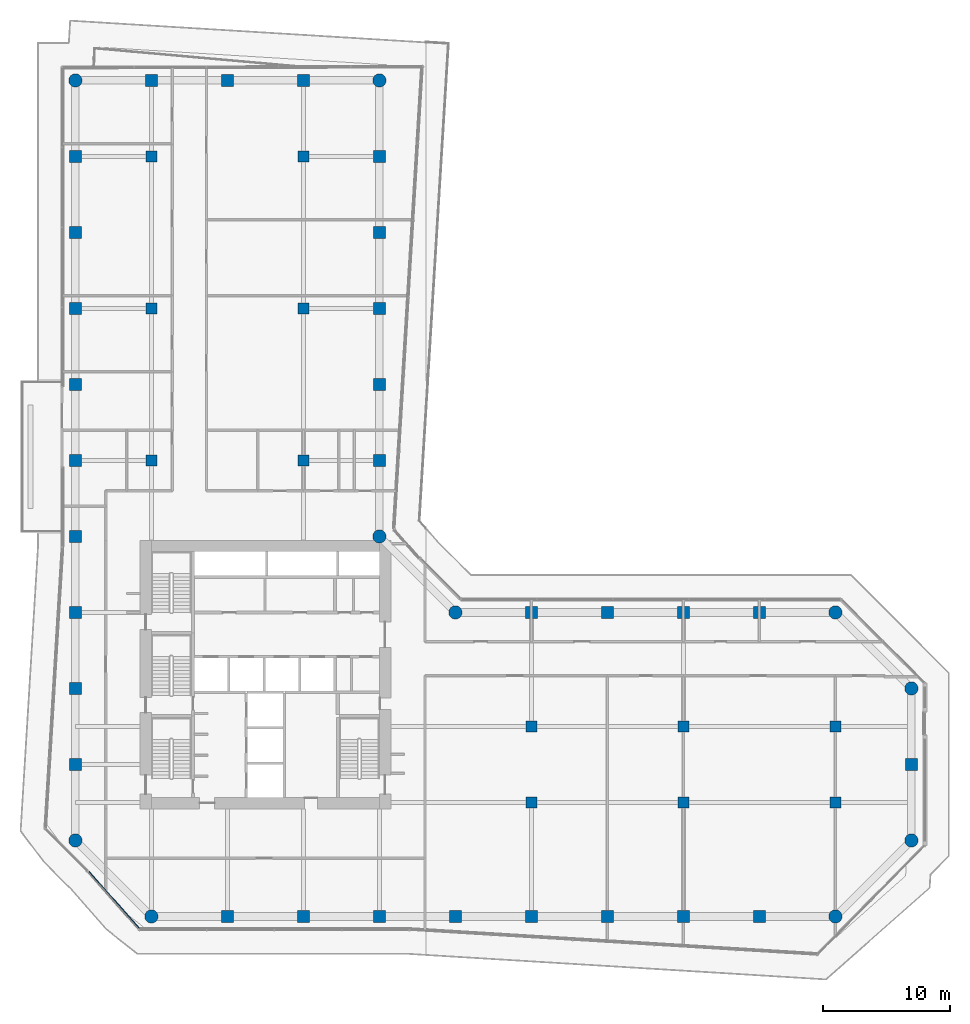
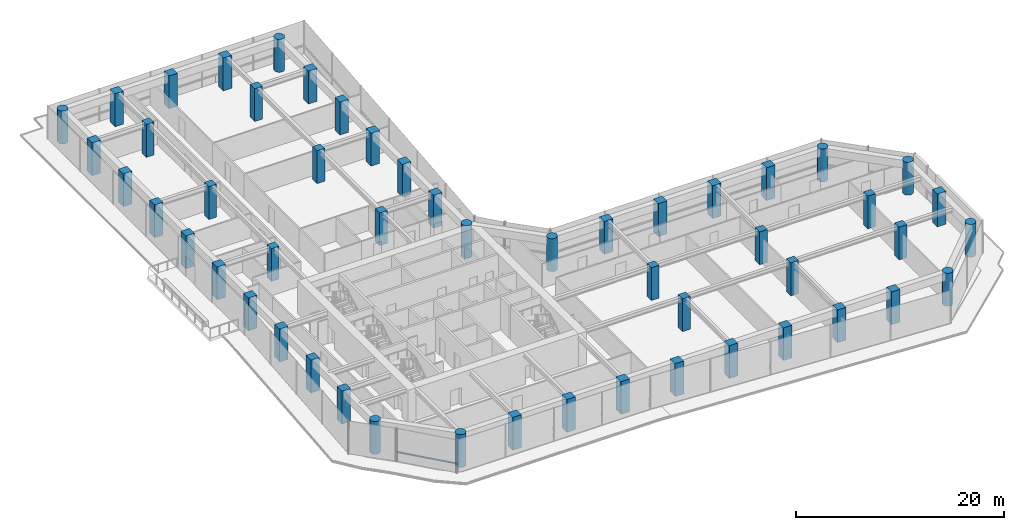
# One storey, part 1 of 27: 52 columns, 1 member, 1 element without a shape of its own.
"""IFC4 building model written with IfcOpenShell, lengths in metres."""

from ifc_helpers import new_model, si_unit, direction, frame, origin, origin_2d, place, context, subcontext, project, spatial, rectangle, circle, extrude, material, layer, layer_set, material_profile, profile_set, type_object, element, aggregate, save


model = new_model("IFC4")

# Units and contexts
model_context = context("Model", 3, precision=1e-05, world=origin(), true_north=direction((0.0, 1.0)))
body_context = subcontext(model_context, "Body", "Model", "MODEL_VIEW")
ifc_project = project(units=[si_unit("LENGTHUNIT", "METRE"), si_unit("AREAUNIT", "SQUARE_METRE"), si_unit("VOLUMEUNIT", "CUBIC_METRE"), si_unit("PLANEANGLEUNIT", "RADIAN"), si_unit("MASSUNIT", "GRAM", prefix="KILO")], contexts=[model_context])

# Site, building, storey
site_placement = place(None, origin())
site = spatial("IfcSite", under=ifc_project, at=site_placement, CompositionType="ELEMENT")
building_placement = place(site_placement, origin())
building = spatial("IfcBuilding", under=site, at=building_placement, Name="Welwitschia Terrace Campus", CompositionType="ELEMENT")
storey_placement = place(building_placement, frame((0.0, 0.0, 37.39990234375)))
storey = spatial("IfcBuildingStorey", under=building, at=storey_placement, Name="L08", CompositionType="ELEMENT", Elevation=37.39990234375)

# Columns
ifc_material_1 = material(Name="Concrete C60/75", Category="concrete")
ifc_material_profile_1 = material_profile(ifc_material_1, circle(Radius=0.52490234375, at=origin_2d()))
ifc_profile_set_1 = profile_set([ifc_material_profile_1], Name="Concrete C60/75")
column_type_1 = type_object("IfcColumnType", Name="Corner column 1050 dia", PredefinedType="COLUMN", material=ifc_profile_set_1)
for number, where, z_axis, x_axis, name in (
    (1, (0.0, 2.0, 0.0), (0.0, 0.0, 1.0), (1.0, 0.0, 0.0), "Column C5"),
    (2, (0.0, 62.0, 0.0), (0.0, 0.0, 1.0), (1.0, 0.0, 0.0), "Column C5"),
    (3, (6.0, -4.0, 0.0), (0.0, 0.0, 1.0), (1.0, 0.0, 0.0), "Column C5"),
    (4, (24.0, 26.0, 0.0), (0.0, 0.0, 1.0), (1.0, 0.0, 0.0), "Column C5"),
    (5, (24.0, 62.0, 0.0), (0.0, 0.0, 1.0), (1.0, 0.0, 0.0), "Column C5"),
    (6, (30.0, 20.0, 0.0), (0.0, 0.0, 1.0), (1.0, 0.0, 0.0), "Column C5"),
    (7, (60.0, -4.0, 0.0), (0.0, 0.0, 1.0), (1.0, 0.0, 0.0), "Column C5"),
    (8, (60.0, 20.0, 0.0), (0.0, 0.0, 1.0), (1.0, 0.0, 0.0), "Column C5"),
    (9, (66.0, 2.0, 0.0), (0.0, 0.0, 1.0), (1.0, 0.0, 0.0), "Column C5"),
    (10, (66.0, 14.0, 0.0), (0.0, 0.0, 1.0), (1.0, 0.0, 0.0), "Column C5"),
):
    element("IfcColumn", number, at=place(storey_placement, frame(where, z_axis=z_axis, x_axis=x_axis)), inside=storey, type_object=column_type_1, Name=name, PredefinedType="COLUMN", context=body_context, shape_type="SweptSolid", body=[
        extrude(circle(Radius=0.52490234375, at=origin_2d()), origin(), (0.0, 0.0, 1.0), 3.85009765625),
    ])
ifc_material_2 = material(Name="Concrete C60/75", Category="concrete")
ifc_material_profile_2 = material_profile(ifc_material_2, rectangle(XDim=0.85009765625, YDim=0.85009765625, at=origin_2d()))
ifc_profile_set_2 = profile_set([ifc_material_profile_2], Name="Concrete C60/75")
column_type_2 = type_object("IfcColumnType", Name="Interior column 850x850", PredefinedType="COLUMN", material=ifc_profile_set_2)
for number, where, z_axis, x_axis, name in (
    (11, (6.0, 32.0, 0.0), (0.0, 0.0, 1.0), (1.0, 0.0, 0.0), "Column C7"),
    (12, (6.0, 44.0, 0.0), (0.0, 0.0, 1.0), (1.0, 0.0, 0.0), "Column C7"),
    (13, (6.0, 56.0, 0.0), (0.0, 0.0, 1.0), (1.0, 0.0, 0.0), "Column C7"),
    (14, (18.0, 32.0, 0.0), (0.0, 0.0, 1.0), (1.0, 0.0, 0.0), "Column C7"),
    (15, (18.0, 44.0, 0.0), (0.0, 0.0, 1.0), (1.0, 0.0, 0.0), "Column C7"),
    (16, (18.0, 56.0, 0.0), (0.0, 0.0, 1.0), (1.0, 0.0, 0.0), "Column C7"),
    (17, (36.0, 5.0, 0.0), (0.0, 0.0, 1.0), (1.0, 0.0, 0.0), "Column C7"),
    (18, (36.0, 11.0, 0.0), (0.0, 0.0, 1.0), (1.0, 0.0, 0.0), "Column C7"),
    (19, (48.0, 5.0, 0.0), (0.0, 0.0, 1.0), (1.0, 0.0, 0.0), "Column C7"),
    (20, (48.0, 11.0, 0.0), (0.0, 0.0, 1.0), (1.0, 0.0, 0.0), "Column C7"),
    (21, (60.0, 5.0, 0.0), (0.0, 0.0, 1.0), (1.0, 0.0, 0.0), "Column C7"),
    (22, (60.0, 11.0, 0.0), (0.0, 0.0, 1.0), (1.0, 0.0, 0.0), "Column C7"),
):
    element("IfcColumn", number, at=place(storey_placement, frame(where, z_axis=z_axis, x_axis=x_axis)), inside=storey, type_object=column_type_2, Name=name, PredefinedType="COLUMN", context=body_context, shape_type="SweptSolid", body=[
        extrude(rectangle(XDim=0.85009765625, YDim=0.85009765625, at=origin_2d()), origin(), (0.0, 0.0, 1.0), 3.85009765625),
    ])
ifc_material_3 = material(Name="Concrete C60/75", Category="concrete")
ifc_material_profile_3 = material_profile(ifc_material_3, rectangle(XDim=0.949951171875, YDim=0.949951171875, at=origin_2d()))
ifc_profile_set_3 = profile_set([ifc_material_profile_3], Name="Concrete C60/75")
column_type_3 = type_object("IfcColumnType", Name="Ring column 950x950", PredefinedType="COLUMN", material=ifc_profile_set_3)
for number, where, z_axis, x_axis, name in (
    (23, (0.0, 8.0, 0.0), (0.0, 0.0, 1.0), (1.0, 0.0, 0.0), "Column C6"),
    (24, (0.0, 14.0, 0.0), (0.0, 0.0, 1.0), (1.0, 0.0, 0.0), "Column C6"),
    (25, (0.0, 20.0, 0.0), (0.0, 0.0, 1.0), (1.0, 0.0, 0.0), "Column C6"),
    (26, (0.0, 26.0, 0.0), (0.0, 0.0, 1.0), (1.0, 0.0, 0.0), "Column C6"),
    (27, (0.0, 32.0, 0.0), (0.0, 0.0, 1.0), (1.0, 0.0, 0.0), "Column C6"),
    (28, (0.0, 38.0, 0.0), (0.0, 0.0, 1.0), (1.0, 0.0, 0.0), "Column C6"),
    (29, (0.0, 44.0, 0.0), (0.0, 0.0, 1.0), (1.0, 0.0, 0.0), "Column C6"),
    (30, (0.0, 50.0, 0.0), (0.0, 0.0, 1.0), (1.0, 0.0, 0.0), "Column C6"),
    (31, (0.0, 56.0, 0.0), (0.0, 0.0, 1.0), (1.0, 0.0, 0.0), "Column C6"),
    (32, (6.0, 62.0, 0.0), (0.0, 0.0, 1.0), (1.0, 0.0, 0.0), "Column C6"),
    (33, (12.0, -4.0, 0.0), (0.0, 0.0, 1.0), (1.0, 0.0, 0.0), "Column C6"),
    (34, (12.0, 62.0, 0.0), (0.0, 0.0, 1.0), (1.0, 0.0, 0.0), "Column C6"),
    (35, (18.0, -4.0, 0.0), (0.0, 0.0, 1.0), (1.0, 0.0, 0.0), "Column C6"),
    (36, (18.0, 62.0, 0.0), (0.0, 0.0, 1.0), (1.0, 0.0, 0.0), "Column C6"),
    (37, (24.0, -4.0, 0.0), (0.0, 0.0, 1.0), (1.0, 0.0, 0.0), "Column C6"),
    (38, (24.0, 32.0, 0.0), (0.0, 0.0, 1.0), (1.0, 0.0, 0.0), "Column C6"),
    (39, (24.0, 38.0, 0.0), (0.0, 0.0, 1.0), (1.0, 0.0, 0.0), "Column C6"),
    (40, (24.0, 44.0, 0.0), (0.0, 0.0, 1.0), (1.0, 0.0, 0.0), "Column C6"),
    (41, (24.0, 50.0, 0.0), (0.0, 0.0, 1.0), (1.0, 0.0, 0.0), "Column C6"),
    (42, (24.0, 56.0, 0.0), (0.0, 0.0, 1.0), (1.0, 0.0, 0.0), "Column C6"),
    (43, (30.0, -4.0, 0.0), (0.0, 0.0, 1.0), (1.0, 0.0, 0.0), "Column C6"),
    (44, (36.0, -4.0, 0.0), (0.0, 0.0, 1.0), (1.0, 0.0, 0.0), "Column C6"),
    (45, (36.0, 20.0, 0.0), (0.0, 0.0, 1.0), (1.0, 0.0, 0.0), "Column C6"),
    (46, (42.0, -4.0, 0.0), (0.0, 0.0, 1.0), (1.0, 0.0, 0.0), "Column C6"),
    (47, (42.0, 20.0, 0.0), (0.0, 0.0, 1.0), (1.0, 0.0, 0.0), "Column C6"),
    (48, (48.0, -4.0, 0.0), (0.0, 0.0, 1.0), (1.0, 0.0, 0.0), "Column C6"),
    (49, (48.0, 20.0, 0.0), (0.0, 0.0, 1.0), (1.0, 0.0, 0.0), "Column C6"),
    (50, (54.0, -4.0, 0.0), (0.0, 0.0, 1.0), (1.0, 0.0, 0.0), "Column C6"),
    (51, (54.0, 20.0, 0.0), (0.0, 0.0, 1.0), (1.0, 0.0, 0.0), "Column C6"),
    (52, (66.0, 8.0, 0.0), (0.0, 0.0, 1.0), (1.0, 0.0, 0.0), "Column C6"),
):
    element("IfcColumn", number, at=place(storey_placement, frame(where, z_axis=z_axis, x_axis=x_axis)), inside=storey, type_object=column_type_3, Name=name, PredefinedType="COLUMN", context=body_context, shape_type="SweptSolid", body=[
        extrude(rectangle(XDim=0.949951171875, YDim=0.949951171875, at=origin_2d()), origin(), (0.0, 0.0, 1.0), 3.85009765625),
    ])

# Curtain wall, member
ifc_material_4 = material(Name="Bronze anodised aluminium", Category="aluminium")
ifc_layer = layer(ifc_material_4, 0.1201171875)
ifc_layer_set = layer_set([ifc_layer], Name="Bronze anodised aluminium")
curtain_wall_type = type_object("IfcCurtainWallType", Name="Curtain wall CW2 tower 6000", PredefinedType="NOTDEFINED", material=ifc_layer_set)
curtain_wall_placement = place(storey_placement, origin())
curtain_wall = element("IfcCurtainWall", 53, at=curtain_wall_placement, inside=storey, type_object=curtain_wall_type, Name="CW L08.2.0", PredefinedType="NOTDEFINED")
ifc_material_5 = material(Name="Bronze anodised aluminium", Category="aluminium")
ifc_material_profile_4 = material_profile(ifc_material_5, rectangle(XDim=0.06005859375, YDim=0.14990234375, at=origin_2d()))
ifc_profile_set_4 = profile_set([ifc_material_profile_4], Name="Bronze anodised aluminium")
member_type = type_object("IfcMemberType", Name="Transom 60x150", PredefinedType="USERDEFINED", material=ifc_profile_set_4)
member_placement = place(storey_placement, frame((1.07080078125, -0.4453125, 1.0), z_axis=(0.662632515795, -0.748944690222, 0.0), x_axis=(0.748944690222, 0.662632515795, 0.0)))
member = element("IfcMember", 54, at=member_placement, type_object=member_type, Name="Transom L08.2.0", ObjectType="TRANSOM", PredefinedType="USERDEFINED", context=body_context, shape_type="SweptSolid", body=[
    extrude(rectangle(XDim=0.06005859375, YDim=0.14990234375, at=origin_2d()), origin(), (0.0, 0.0, 1.0), 6.019287109375),
])
aggregate(curtain_wall, [member])

save(model, "model.ifc")
